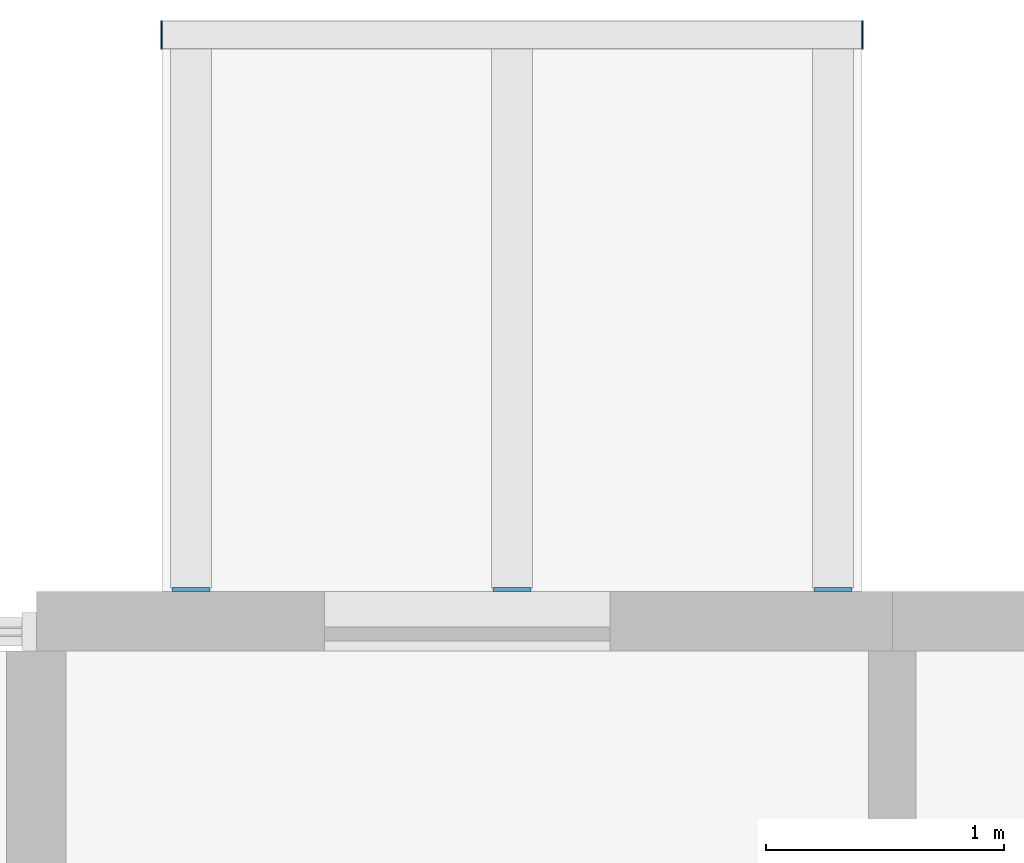
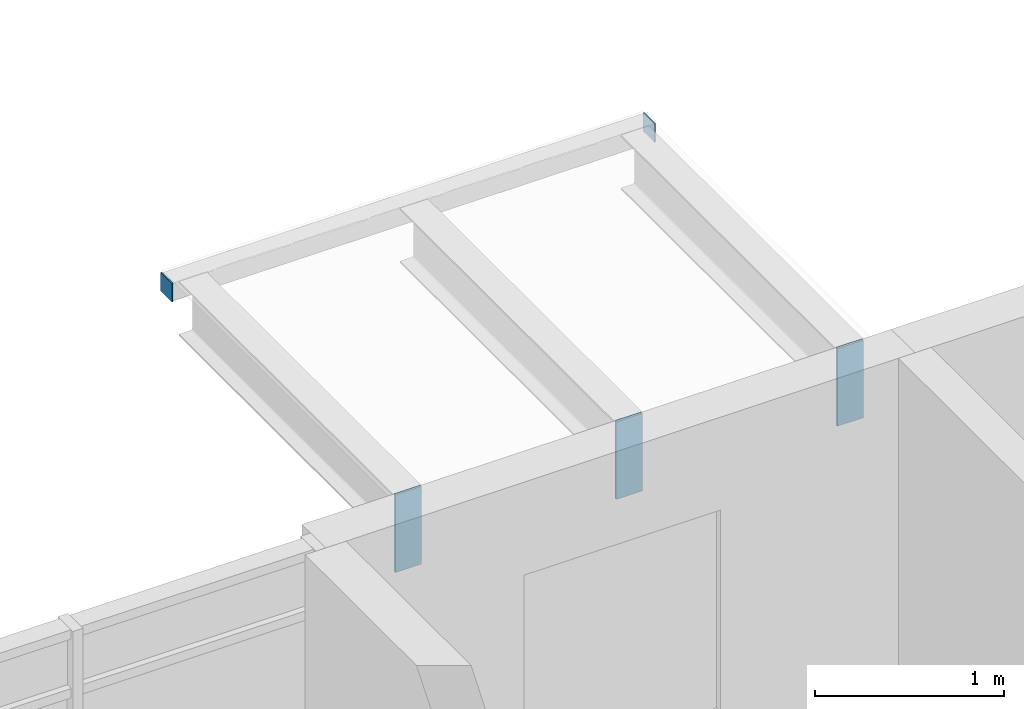
# One storey, part 68 of 93: 5 discrete accessories.
"""IFC4 building model written with IfcOpenShell, lengths in metres."""

from ifc_helpers import new_model, si_unit, direction, frame, origin, origin_2d, place, context, subcontext, project, spatial, rectangle, extrude, material, layer, layer_set, type_object, element, save


model = new_model("IFC4")

# Units and contexts
model_context = context("Model", 3, precision=1e-05, world=origin(), true_north=direction((0.0, 1.0)))
body_context = subcontext(model_context, "Body", "Model", "MODEL_VIEW")
ifc_project = project(units=[si_unit("LENGTHUNIT", "METRE"), si_unit("AREAUNIT", "SQUARE_METRE"), si_unit("VOLUMEUNIT", "CUBIC_METRE"), si_unit("PLANEANGLEUNIT", "RADIAN"), si_unit("MASSUNIT", "GRAM", prefix="KILO")], contexts=[model_context])

# Site, building, storey
site_placement = place(None, origin())
site = spatial("IfcSite", under=ifc_project, at=site_placement, CompositionType="ELEMENT")
building_placement = place(site_placement, origin())
building = spatial("IfcBuilding", under=site, at=building_placement, Name="Ridgestep Commons", CompositionType="ELEMENT")
storey_placement = place(building_placement, frame((0.0, 0.0, 18.0)))
storey = spatial("IfcBuildingStorey", under=building, at=storey_placement, Name="L06", CompositionType="ELEMENT", Elevation=18.0)

# Discrete accessories
ifc_material_1 = material(Name="Weathering steel S355J2W", Category="steel")
ifc_layer_1 = layer(ifc_material_1, 0.014892578125)
ifc_layer_set_1 = layer_set([ifc_layer_1], Name="Tray bracket plate 15")
discrete_accessory_type_1 = type_object("IfcDiscreteAccessoryType", Name="Tray bracket plate 15", PredefinedType="BRACKET", material=ifc_layer_set_1)
for number, where, z_axis, x_axis, name in (
    (1, (85.85009765625, 77.257568359375, 2.488525390625), (0.0, 0.0, 1.0), (1.0, 0.0, 0.0), "Tray bracket B5T3-07.1"),
    (2, (87.199951171875, 77.257568359375, 2.488525390625), (0.0, 0.0, 1.0), (1.0, 0.0, 0.0), "Tray bracket B5T3-07.2"),
    (3, (88.550048828125, 77.257568359375, 2.488525390625), (0.0, 0.0, 1.0), (1.0, 0.0, 0.0), "Tray bracket B5T3-07.3"),
):
    element("IfcDiscreteAccessory", number, at=place(storey_placement, frame(where, z_axis=z_axis, x_axis=x_axis)), inside=storey, type_object=discrete_accessory_type_1, Name=name, PredefinedType="BRACKET", context=body_context, shape_type="SweptSolid", body=[
        extrude(rectangle(XDim=0.159912109375, YDim=0.014892578125, at=origin_2d()), origin(), (0.0, 0.0, 1.0), 0.50146484375),
    ])
ifc_material_2 = material(Name="Weathering steel S355J2W", Category="steel")
ifc_layer_2 = layer(ifc_material_2, 0.008056640625)
ifc_layer_set_2 = layer_set([ifc_layer_2], Name="Tray edge member end plate 120 x 120 x 8")
discrete_accessory_type_2 = type_object("IfcDiscreteAccessoryType", Name="Tray edge member end plate 120 x 120 x 8", PredefinedType="BRACKET", material=ifc_layer_set_2)
for number, where, z_axis, x_axis, name in (
    (4, (85.72607421875, 79.590087890625, 2.869873046875), (0.0, 0.0, 1.0), (1.0, 0.0, 0.0), "Tray edge member end plate B5T3-07 west"),
    (5, (88.674072265625, 79.590087890625, 2.869873046875), (0.0, 0.0, 1.0), (1.0, 0.0, 0.0), "Tray edge member end plate B5T3-07 east"),
):
    element("IfcDiscreteAccessory", number, at=place(storey_placement, frame(where, z_axis=z_axis, x_axis=x_axis)), inside=storey, type_object=discrete_accessory_type_2, Name=name, PredefinedType="BRACKET", context=body_context, shape_type="SweptSolid", body=[
        extrude(rectangle(XDim=0.008056640625, YDim=0.1201171875, at=origin_2d()), origin(), (0.0, 0.0, 1.0), 0.1201171875),
    ])

save(model, "model.ifc")
